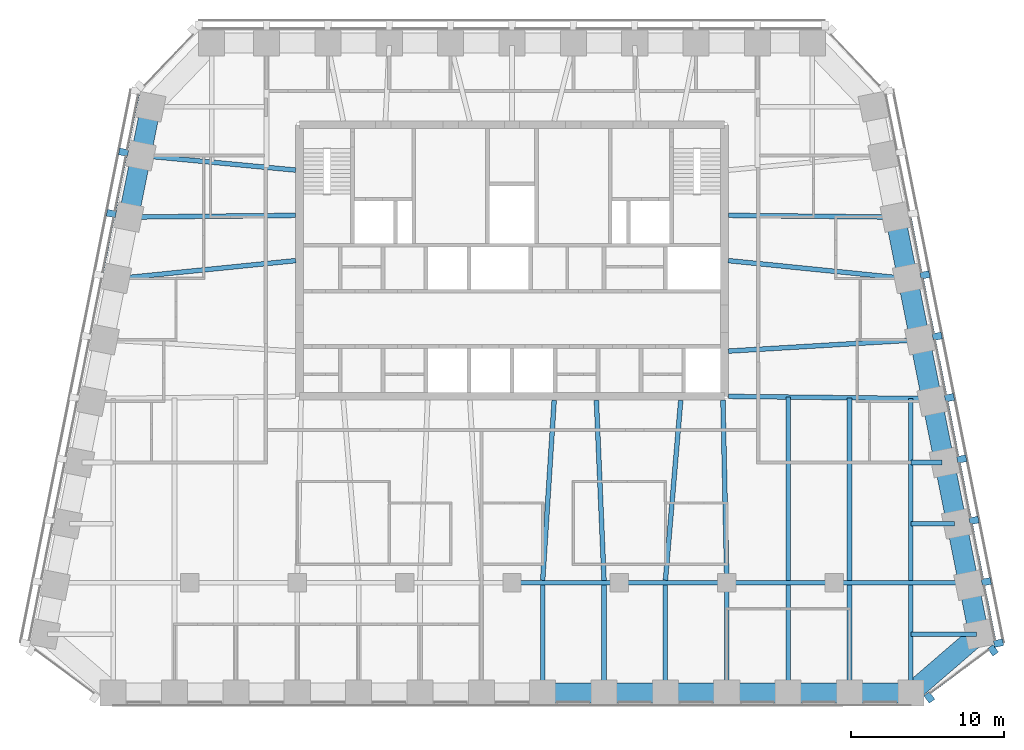
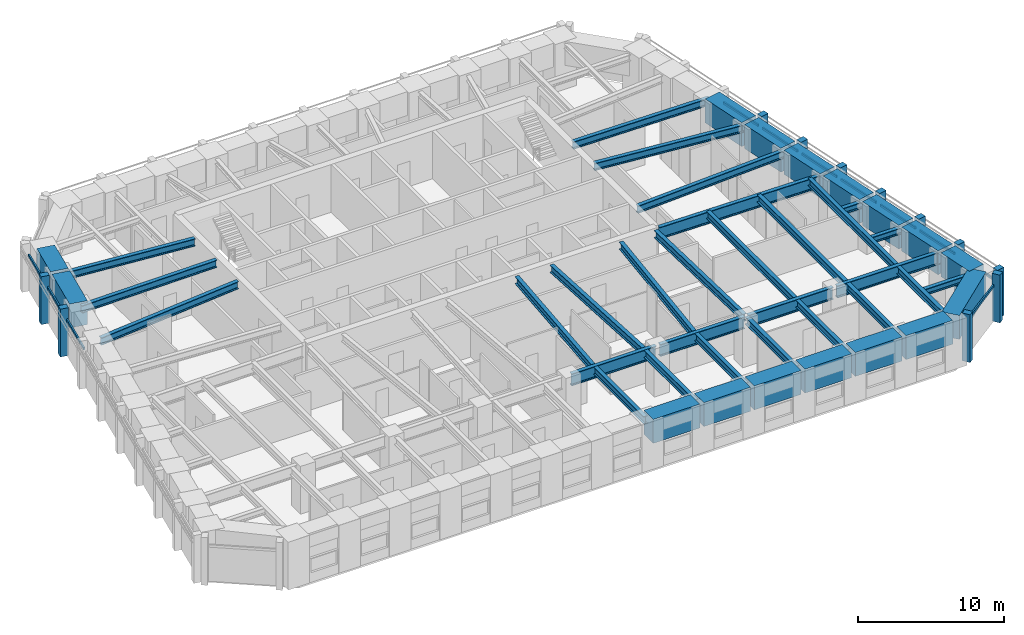
# One storey, part 2 of 11: 44 beams, 22 members, 3 elements without a shape of their own.
"""IFC4 building model written with IfcOpenShell, lengths in metres."""

from ifc_helpers import new_model, si_unit, direction, frame, origin, origin_2d, place, context, subcontext, project, spatial, rectangle, i_section, extrude, material, material_profile, profile_set, type_object, element, aggregate, save


model = new_model("IFC4")

# Units and contexts
model_context = context("Model", 3, precision=1e-05, world=origin(), true_north=direction((0.0, 1.0)))
body_context = subcontext(model_context, "Body", "Model", "MODEL_VIEW")
ifc_project = project(units=[si_unit("LENGTHUNIT", "METRE"), si_unit("AREAUNIT", "SQUARE_METRE"), si_unit("VOLUMEUNIT", "CUBIC_METRE"), si_unit("PLANEANGLEUNIT", "RADIAN"), si_unit("MASSUNIT", "GRAM", prefix="KILO")], contexts=[model_context])

# Site, building, storey
site_placement = place(None, origin())
site = spatial("IfcSite", under=ifc_project, at=site_placement, CompositionType="ELEMENT")
building_placement = place(site_placement, origin())
building = spatial("IfcBuilding", under=site, at=building_placement, Name="Isbrekke Arena Tower", CompositionType="ELEMENT")
storey_placement = place(building_placement, frame((0.0, 0.0, 264.0)))
storey = spatial("IfcBuildingStorey", under=building, at=storey_placement, Name="L61", CompositionType="ELEMENT", Elevation=264.0)

# Beams
ifc_material_1 = material(Name="Steel S355", Category="steel")
ifc_material_profile_1 = material_profile(ifc_material_1, i_section(OverallWidth=0.304931640625, OverallDepth=0.6201171875, WebThickness=0.02099609375, FlangeThickness=0.0400390625, FilletRadius=0.027099609375, at=origin_2d()), Name="HEM 600")
ifc_profile_set_1 = profile_set([ifc_material_profile_1], Name="Steel S355")
beam_type_1 = type_object("IfcBeamType", Name="B4 HEM 600", PredefinedType="BEAM", material=ifc_profile_set_1)
for number, where, z_axis, x_axis, name in (
    (1, (2.0, -13.02490234375, 3.5400390625), (0.0, 1.0, 0.0), (-1.0, 0.0, 0.0), "B4 beam S-S08 L61"),
    (2, (6.0, -13.02490234375, 3.5400390625), (0.0, 1.0, 0.0), (-1.0, 0.0, 0.0), "B4 beam S-S09 L61"),
    (3, (10.0, -13.02490234375, 3.5400390625), (0.0, 1.0, 0.0), (-1.0, 0.0, 0.0), "B4 beam S-S10 L61"),
):
    element("IfcBeam", number, at=place(storey_placement, frame(where, z_axis=z_axis, x_axis=x_axis)), inside=storey, type_object=beam_type_1, Name=name, PredefinedType="BEAM", context=body_context, shape_type="SweptSolid", body=[
        extrude(i_section(OverallWidth=0.304931640625, OverallDepth=0.6201171875, WebThickness=0.02099609375, FlangeThickness=0.0400390625, FilletRadius=0.027099609375, at=origin_2d()), origin(), (0.0, 0.0, 1.0), 6.8740234375),
    ])
beam_1_placement = place(storey_placement, frame((14.0, -13.02490234375, 3.5400390625), z_axis=(0.0, 1.0, 0.0), x_axis=(-1.0, 0.0, 0.0)))
element("IfcBeam", 4, at=beam_1_placement, inside=storey, type_object=beam_type_1, Name="B4 beam S-S11 L61", PredefinedType="BEAM", context=body_context, shape_type="SweptSolid", body=[
    extrude(i_section(OverallWidth=0.304931640625, OverallDepth=0.6201171875, WebThickness=0.02099609375, FlangeThickness=0.0400390625, FilletRadius=0.027099609375, at=origin_2d()), origin(), (0.0, 0.0, 1.0), 6.875),
])
for number, where, z_axis, x_axis, name in (
    (5, (18.0, -13.02490234375, 3.5400390625), (0.0, 1.0, 0.0), (-1.0, 0.0, 0.0), "B4 beam S-S12 L61"),
    (6, (22.0, -13.02490234375, 3.5400390625), (0.0, 1.0, 0.0), (-1.0, 0.0, 0.0), "B4 beam S-S13 L61"),
    (7, (26.0, -13.02490234375, 3.5400390625), (0.0, 1.0, 0.0), (-1.0, 0.0, 0.0), "B4 beam S-S14 L61"),
):
    element("IfcBeam", number, at=place(storey_placement, frame(where, z_axis=z_axis, x_axis=x_axis)), inside=storey, type_object=beam_type_1, Name=name, PredefinedType="BEAM", context=body_context, shape_type="SweptSolid", body=[
        extrude(i_section(OverallWidth=0.304931640625, OverallDepth=0.6201171875, WebThickness=0.02099609375, FlangeThickness=0.0400390625, FilletRadius=0.027099609375, at=origin_2d()), origin(), (0.0, 0.0, 1.0), 6.8740234375),
    ])
beam_2_placement = place(storey_placement, frame((2.000732421875, -5.83935546875, 3.5400390625), z_axis=(0.063696196046, 0.997969335506, 0.0), x_axis=(-0.997969335506, 0.063696196046, 0.0)))
element("IfcBeam", 8, at=beam_2_placement, inside=storey, type_object=beam_type_1, Name="B4 beam C-M08 L61", PredefinedType="BEAM", context=body_context, shape_type="SweptSolid", body=[
    extrude(i_section(OverallWidth=0.304931640625, OverallDepth=0.6201171875, WebThickness=0.02099609375, FlangeThickness=0.0400390625, FilletRadius=0.027099609375, at=origin_2d()), origin(), (0.0, 0.0, 1.0), 11.76318359375),
])
beam_3_placement = place(storey_placement, frame((5.999755859375, -5.842529296875, 3.5400390625), z_axis=(-0.042521334166, 0.999095559064, 0.0), x_axis=(-0.999095559064, -0.042521334166, 0.0)))
element("IfcBeam", 9, at=beam_3_placement, inside=storey, type_object=beam_type_1, Name="B4 beam C-M09 L61", PredefinedType="BEAM", context=body_context, shape_type="SweptSolid", body=[
    extrude(i_section(OverallWidth=0.304931640625, OverallDepth=0.6201171875, WebThickness=0.02099609375, FlangeThickness=0.0400390625, FilletRadius=0.027099609375, at=origin_2d()), origin(), (0.0, 0.0, 1.0), 11.753173828125),
])
beam_4_placement = place(storey_placement, frame((10.0009765625, -5.836181640625, 3.5400390625), z_axis=(0.084817344046, 0.996396516528, 0.0), x_axis=(-0.996396516528, 0.084817344046, 0.0)))
element("IfcBeam", 10, at=beam_4_placement, inside=storey, type_object=beam_type_1, Name="B4 beam C-M10 L61", PredefinedType="BEAM", context=body_context, shape_type="SweptSolid", body=[
    extrude(i_section(OverallWidth=0.304931640625, OverallDepth=0.6201171875, WebThickness=0.02099609375, FlangeThickness=0.0400390625, FilletRadius=0.027099609375, at=origin_2d()), origin(), (0.0, 0.0, 1.0), 11.778564453125),
])
beam_5_placement = place(storey_placement, frame((14.0, -5.8466796875, 3.5400390625), z_axis=(-0.021277968258, 0.999773598405, 0.0), x_axis=(-0.999773598405, -0.021277968258, 0.0)))
element("IfcBeam", 11, at=beam_5_placement, inside=storey, type_object=beam_type_1, Name="B4 beam C-M11 L61", PredefinedType="BEAM", context=body_context, shape_type="SweptSolid", body=[
    extrude(i_section(OverallWidth=0.304931640625, OverallDepth=0.6201171875, WebThickness=0.02099609375, FlangeThickness=0.0400390625, FilletRadius=0.027099609375, at=origin_2d()), origin(), (0.0, 0.0, 1.0), 11.749267578125),
])
beam_6_placement = place(storey_placement, frame((18.0, -5.84912109375, 3.5400390625), z_axis=(0.0, 1.0, 0.0), x_axis=(-1.0, 0.0, 0.0)))
element("IfcBeam", 12, at=beam_6_placement, inside=storey, type_object=beam_type_1, Name="B4 beam C-M12 L61", PredefinedType="BEAM", context=body_context, shape_type="SweptSolid", body=[
    extrude(i_section(OverallWidth=0.304931640625, OverallDepth=0.6201171875, WebThickness=0.02099609375, FlangeThickness=0.0400390625, FilletRadius=0.027099609375, at=origin_2d()), origin(), (0.0, 0.0, 1.0), 11.955078125),
])
beam_7_placement = place(storey_placement, frame((22.0, -5.84912109375, 3.5400390625), z_axis=(0.0, 1.0, 0.0), x_axis=(-1.0, 0.0, 0.0)))
element("IfcBeam", 13, at=beam_7_placement, inside=storey, type_object=beam_type_1, Name="B4 beam C-M13 L61", PredefinedType="BEAM", context=body_context, shape_type="SweptSolid", body=[
    extrude(i_section(OverallWidth=0.304931640625, OverallDepth=0.6201171875, WebThickness=0.02099609375, FlangeThickness=0.0400390625, FilletRadius=0.027099609375, at=origin_2d()), origin(), (0.0, 0.0, 1.0), 11.909912109375),
])
beam_8_placement = place(storey_placement, frame((26.0, -5.84912109375, 3.5400390625), z_axis=(0.0, 1.0, 0.0), x_axis=(-1.0, 0.0, 0.0)))
element("IfcBeam", 14, at=beam_8_placement, inside=storey, type_object=beam_type_1, Name="B4 beam C-M14 L61", PredefinedType="BEAM", context=body_context, shape_type="SweptSolid", body=[
    extrude(i_section(OverallWidth=0.304931640625, OverallDepth=0.6201171875, WebThickness=0.02099609375, FlangeThickness=0.0400390625, FilletRadius=0.027099609375, at=origin_2d()), origin(), (0.0, 0.0, 1.0), 11.86474609375),
])
beam_9_placement = place(storey_placement, frame((26.431884765625, 9.837646484375, 3.5400390625), z_axis=(-0.998216240514, -0.059702070095, 0.0), x_axis=(0.059702070095, -0.998216240514, 0.0)))
element("IfcBeam", 15, at=beam_9_placement, inside=storey, type_object=beam_type_1, Name="B4 beam E-E06 L61", PredefinedType="BEAM", context=body_context, shape_type="SweptSolid", body=[
    extrude(i_section(OverallWidth=0.304931640625, OverallDepth=0.6201171875, WebThickness=0.02099609375, FlangeThickness=0.0400390625, FilletRadius=0.027099609375, at=origin_2d()), origin(), (0.0, 0.0, 1.0), 12.353759765625),
])
beam_10_placement = place(storey_placement, frame((25.625732421875, 13.83984375, 3.5400390625), z_axis=(-0.994972081505, 0.100152668587, 0.0), x_axis=(-0.100152668587, -0.994972081505, 0.0)))
element("IfcBeam", 16, at=beam_10_placement, inside=storey, type_object=beam_type_1, Name="B4 beam E-E07 L61", PredefinedType="BEAM", context=body_context, shape_type="SweptSolid", body=[
    extrude(i_section(OverallWidth=0.304931640625, OverallDepth=0.6201171875, WebThickness=0.02099609375, FlangeThickness=0.0400390625, FilletRadius=0.027099609375, at=origin_2d()), origin(), (0.0, 0.0, 1.0), 11.583984375),
])
beam_11_placement = place(storey_placement, frame((24.83935546875, 17.838134765625, 3.5400390625), z_axis=(-0.999945800258, 0.010411366203, 0.0), x_axis=(-0.010411366203, -0.999945800258, 0.0)))
element("IfcBeam", 17, at=beam_11_placement, inside=storey, type_object=beam_type_1, Name="B4 beam E-E08 L61", PredefinedType="BEAM", context=body_context, shape_type="SweptSolid", body=[
    extrude(i_section(OverallWidth=0.304931640625, OverallDepth=0.6201171875, WebThickness=0.02099609375, FlangeThickness=0.0400390625, FilletRadius=0.027099609375, at=origin_2d()), origin(), (0.0, 0.0, 1.0), 10.73974609375),
])
beam_12_placement = place(storey_placement, frame((-24.02685546875, 21.8369140625, 3.5400390625), z_axis=(0.995574576627, -0.093974796485, 0.0), x_axis=(0.093974796485, 0.995574576627, 0.0)))
element("IfcBeam", 18, at=beam_12_placement, inside=storey, type_object=beam_type_1, Name="B4 beam E-W02 L61", PredefinedType="BEAM", context=body_context, shape_type="SweptSolid", body=[
    extrude(i_section(OverallWidth=0.304931640625, OverallDepth=0.6201171875, WebThickness=0.02099609375, FlangeThickness=0.0400390625, FilletRadius=0.027099609375, at=origin_2d()), origin(), (0.0, 0.0, 1.0), 9.970947265625),
])
beam_13_placement = place(storey_placement, frame((-24.83935546875, 17.838134765625, 3.5400390625), z_axis=(0.999945800258, 0.010411366203, 0.0), x_axis=(-0.010411366203, 0.999945800258, 0.0)))
element("IfcBeam", 19, at=beam_13_placement, inside=storey, type_object=beam_type_1, Name="B4 beam E-W03 L61", PredefinedType="BEAM", context=body_context, shape_type="SweptSolid", body=[
    extrude(i_section(OverallWidth=0.304931640625, OverallDepth=0.6201171875, WebThickness=0.02099609375, FlangeThickness=0.0400390625, FilletRadius=0.027099609375, at=origin_2d()), origin(), (0.0, 0.0, 1.0), 10.73974609375),
])
beam_14_placement = place(storey_placement, frame((-25.625732421875, 13.83984375, 3.5400390625), z_axis=(0.994972081505, 0.100152668587, 0.0), x_axis=(-0.100152668587, 0.994972081505, 0.0)))
element("IfcBeam", 20, at=beam_14_placement, inside=storey, type_object=beam_type_1, Name="B4 beam E-W04 L61", PredefinedType="BEAM", context=body_context, shape_type="SweptSolid", body=[
    extrude(i_section(OverallWidth=0.304931640625, OverallDepth=0.6201171875, WebThickness=0.02099609375, FlangeThickness=0.0400390625, FilletRadius=0.027099609375, at=origin_2d()), origin(), (0.0, 0.0, 1.0), 11.583984375),
])
ifc_material_2 = material(Name="Steel S355", Category="steel")
ifc_material_profile_2 = material_profile(ifc_material_2, i_section(OverallWidth=0.305908203125, OverallDepth=0.52392578125, WebThickness=0.02099609375, FlangeThickness=0.0400390625, FilletRadius=0.027099609375, at=origin_2d()), Name="HEM 500")
ifc_profile_set_2 = profile_set([ifc_material_profile_2], Name="Steel S355")
beam_type_2 = type_object("IfcBeamType", Name="B5 HEM 500", PredefinedType="BEAM", material=ifc_profile_set_2)
beam_15_placement = place(storey_placement, frame((30.279296875, -9.352783203125, 3.587890625), z_axis=(-1.0, 0.0, 0.0), x_axis=(0.0, -1.0, 0.0)))
element("IfcBeam", 21, at=beam_15_placement, inside=storey, type_object=beam_type_2, Name="B5 beam E-E01 L61", PredefinedType="BEAM", context=body_context, shape_type="SweptSolid", body=[
    extrude(i_section(OverallWidth=0.305908203125, OverallDepth=0.52392578125, WebThickness=0.02099609375, FlangeThickness=0.0400390625, FilletRadius=0.027099609375, at=origin_2d()), origin(), (0.0, 0.0, 1.0), 4.279296875),
])
beam_16_placement = place(storey_placement, frame((28.841064453125, -2.161865234375, 3.587890625), z_axis=(-1.0, 0.0, 0.0), x_axis=(0.0, -1.0, 0.0)))
element("IfcBeam", 22, at=beam_16_placement, inside=storey, type_object=beam_type_2, Name="B5 beam E-E03 L61", PredefinedType="BEAM", context=body_context, shape_type="SweptSolid", body=[
    extrude(i_section(OverallWidth=0.305908203125, OverallDepth=0.52392578125, WebThickness=0.02099609375, FlangeThickness=0.0400390625, FilletRadius=0.027099609375, at=origin_2d()), origin(), (0.0, 0.0, 1.0), 2.841064453125),
])
beam_17_placement = place(storey_placement, frame((28.041015625, 1.838134765625, 3.587890625), z_axis=(-1.0, 0.0, 0.0), x_axis=(0.0, -1.0, 0.0)))
element("IfcBeam", 23, at=beam_17_placement, inside=storey, type_object=beam_type_2, Name="B5 beam E-E04 L61", PredefinedType="BEAM", context=body_context, shape_type="SweptSolid", body=[
    extrude(i_section(OverallWidth=0.305908203125, OverallDepth=0.52392578125, WebThickness=0.02099609375, FlangeThickness=0.0400390625, FilletRadius=0.027099609375, at=origin_2d()), origin(), (0.0, 0.0, 1.0), 2.041015625),
])

# Curtain wall, members
ifc_material_3 = material(Name="Glazed aluminium curtain wall", Category="aluminium")
curtain_wall_type = type_object("IfcCurtainWallType", Name="CWT TOWER CURTAIN WALL TOP ZONE", PredefinedType="USERDEFINED", material=ifc_material_3)
curtain_wall_1_placement = place(storey_placement, origin())
curtain_wall_1 = element("IfcCurtainWall", 24, at=curtain_wall_1_placement, inside=storey, type_object=curtain_wall_type, Name="CWT curtain wall L61-SE", ObjectType="TOWER CURTAIN WALL TOP ZONE", PredefinedType="USERDEFINED")
ifc_material_4 = material(Name="Copper-clad aluminium mullion", Category="aluminium")
ifc_material_profile_3 = material_profile(ifc_material_4, rectangle(XDim=0.449951171875, YDim=0.60009765625, at=origin_2d()), Name="PIER 450X600")
ifc_profile_set_3 = profile_set([ifc_material_profile_3], Name="Copper-clad aluminium mullion")
member_type_1 = type_object("IfcMemberType", Name="CWT-M PIER MULLION 450 x 600", PredefinedType="MULLION", material=ifc_profile_set_3)
member_1_placement = place(storey_placement, frame((27.206787109375, -13.4794921875, 0.0), z_axis=(0.0, 0.0, 1.0), x_axis=(0.803557193345, 0.595227550626, 0.0)))
member_1 = element("IfcMember", 25, at=member_1_placement, type_object=member_type_1, Name="CWT-M mullion 1", PredefinedType="MULLION", context=body_context, shape_type="SweptSolid", body=[
    extrude(rectangle(XDim=0.449951171875, YDim=0.60009765625, at=origin_2d()), origin(), (0.0, 0.0, 1.0), 4.0),
])
member_2_placement = place(storey_placement, frame((31.3564453125, -10.405517578125, 0.0), z_axis=(0.0, 0.0, 1.0), x_axis=(0.803557193345, 0.595227550626, 0.0)))
member_2 = element("IfcMember", 26, at=member_2_placement, type_object=member_type_1, Name="CWT-M mullion 2", PredefinedType="MULLION", context=body_context, shape_type="SweptSolid", body=[
    extrude(rectangle(XDim=0.449951171875, YDim=0.60009765625, at=origin_2d()), origin(), (0.0, 0.0, 1.0), 4.0),
])

curtain_wall_2_placement = place(storey_placement, origin())
curtain_wall_2 = element("IfcCurtainWall", 27, at=curtain_wall_2_placement, inside=storey, type_object=curtain_wall_type, Name="CWT curtain wall L61-E", ObjectType="TOWER CURTAIN WALL TOP ZONE", PredefinedType="USERDEFINED")
member_3_placement = place(storey_placement, frame((31.71875, -9.936279296875, 0.0), z_axis=(0.0, 0.0, 1.0), x_axis=(-0.196116135138, 0.980580675691, 0.0)))
member_3 = element("IfcMember", 28, at=member_3_placement, type_object=member_type_1, Name="CWT-M mullion 1", PredefinedType="MULLION", context=body_context, shape_type="SweptSolid", body=[
    extrude(rectangle(XDim=0.449951171875, YDim=0.60009765625, at=origin_2d()), origin(), (0.0, 0.0, 1.0), 4.0),
])
member_4_placement = place(storey_placement, frame((30.918701171875, -5.936279296875, 0.0), z_axis=(0.0, 0.0, 1.0), x_axis=(-0.196116135138, 0.980580675691, 0.0)))
member_4 = element("IfcMember", 29, at=member_4_placement, type_object=member_type_1, Name="CWT-M mullion 2", PredefinedType="MULLION", context=body_context, shape_type="SweptSolid", body=[
    extrude(rectangle(XDim=0.449951171875, YDim=0.60009765625, at=origin_2d()), origin(), (0.0, 0.0, 1.0), 4.0),
])
member_5_placement = place(storey_placement, frame((30.11865234375, -1.936279296875, 0.0), z_axis=(0.0, 0.0, 1.0), x_axis=(-0.196116135138, 0.980580675691, 0.0)))
member_5 = element("IfcMember", 30, at=member_5_placement, type_object=member_type_1, Name="CWT-M mullion 3", PredefinedType="MULLION", context=body_context, shape_type="SweptSolid", body=[
    extrude(rectangle(XDim=0.449951171875, YDim=0.60009765625, at=origin_2d()), origin(), (0.0, 0.0, 1.0), 4.0),
])
member_6_placement = place(storey_placement, frame((29.318603515625, 2.063720703125, 0.0), z_axis=(0.0, 0.0, 1.0), x_axis=(-0.196116135138, 0.980580675691, 0.0)))
member_6 = element("IfcMember", 31, at=member_6_placement, type_object=member_type_1, Name="CWT-M mullion 4", PredefinedType="MULLION", context=body_context, shape_type="SweptSolid", body=[
    extrude(rectangle(XDim=0.449951171875, YDim=0.60009765625, at=origin_2d()), origin(), (0.0, 0.0, 1.0), 4.0),
])
member_7_placement = place(storey_placement, frame((28.518798828125, 6.063720703125, 0.0), z_axis=(0.0, 0.0, 1.0), x_axis=(-0.196116135138, 0.980580675691, 0.0)))
member_7 = element("IfcMember", 32, at=member_7_placement, type_object=member_type_1, Name="CWT-M mullion 5", PredefinedType="MULLION", context=body_context, shape_type="SweptSolid", body=[
    extrude(rectangle(XDim=0.449951171875, YDim=0.60009765625, at=origin_2d()), origin(), (0.0, 0.0, 1.0), 4.0),
])
member_8_placement = place(storey_placement, frame((27.71875, 10.063720703125, 0.0), z_axis=(0.0, 0.0, 1.0), x_axis=(-0.196116135138, 0.980580675691, 0.0)))
member_8 = element("IfcMember", 33, at=member_8_placement, type_object=member_type_1, Name="CWT-M mullion 6", PredefinedType="MULLION", context=body_context, shape_type="SweptSolid", body=[
    extrude(rectangle(XDim=0.449951171875, YDim=0.60009765625, at=origin_2d()), origin(), (0.0, 0.0, 1.0), 4.0),
])
member_9_placement = place(storey_placement, frame((26.918701171875, 14.063720703125, 0.0), z_axis=(0.0, 0.0, 1.0), x_axis=(-0.196116135138, 0.980580675691, 0.0)))
member_9 = element("IfcMember", 34, at=member_9_placement, type_object=member_type_1, Name="CWT-M mullion 7", PredefinedType="MULLION", context=body_context, shape_type="SweptSolid", body=[
    extrude(rectangle(XDim=0.449951171875, YDim=0.60009765625, at=origin_2d()), origin(), (0.0, 0.0, 1.0), 4.0),
])

curtain_wall_3_placement = place(storey_placement, origin())
curtain_wall_3 = element("IfcCurtainWall", 35, at=curtain_wall_3_placement, inside=storey, type_object=curtain_wall_type, Name="CWT curtain wall L61-W", ObjectType="TOWER CURTAIN WALL TOP ZONE", PredefinedType="USERDEFINED")
member_10_placement = place(storey_placement, frame((-25.318603515625, 22.063720703125, 0.0), z_axis=(0.0, 0.0, 1.0), x_axis=(-0.196116135138, -0.980580675691, 0.0)))
member_10 = element("IfcMember", 36, at=member_10_placement, type_object=member_type_1, Name="CWT-M mullion 2", PredefinedType="MULLION", context=body_context, shape_type="SweptSolid", body=[
    extrude(rectangle(XDim=0.449951171875, YDim=0.60009765625, at=origin_2d()), origin(), (0.0, 0.0, 1.0), 4.0),
])
member_11_placement = place(storey_placement, frame((-26.11865234375, 18.063720703125, 0.0), z_axis=(0.0, 0.0, 1.0), x_axis=(-0.196116135138, -0.980580675691, 0.0)))
member_11 = element("IfcMember", 37, at=member_11_placement, type_object=member_type_1, Name="CWT-M mullion 3", PredefinedType="MULLION", context=body_context, shape_type="SweptSolid", body=[
    extrude(rectangle(XDim=0.449951171875, YDim=0.60009765625, at=origin_2d()), origin(), (0.0, 0.0, 1.0), 4.0),
])

# Member
ifc_material_5 = material(Name="Aluminium transom", Category="aluminium")
ifc_material_profile_4 = material_profile(ifc_material_5, rectangle(XDim=0.1201171875, YDim=0.199951171875, at=origin_2d()), Name="TRANSOM 120X200")
ifc_profile_set_4 = profile_set([ifc_material_profile_4], Name="Aluminium transom")
member_type_2 = type_object("IfcMemberType", Name="CWT-T TRANSOM 120 x 200", PredefinedType="USERDEFINED", material=ifc_profile_set_4)
member_12_placement = place(storey_placement, frame((27.2685546875, -13.184814453125, 3.0), z_axis=(0.803565450225, 0.595216403676, 0.0), x_axis=(-0.595216403676, 0.803565450225, 0.0)))
member_12 = element("IfcMember", 38, at=member_12_placement, type_object=member_type_2, Name="CWT-T transom 1", ObjectType="TRANSOM", PredefinedType="USERDEFINED", context=body_context, shape_type="SweptSolid", body=[
    extrude(rectangle(XDim=0.1201171875, YDim=0.199951171875, at=origin_2d()), origin(), (0.0, 0.0, 1.0), 4.714111328125),
])

aggregate(curtain_wall_1, [member_1, member_2, member_12])

member_13_placement = place(storey_placement, frame((31.478515625, -9.7548828125, 3.0), z_axis=(-0.196154943734, 0.980572913173, 0.0), x_axis=(-0.980572913173, -0.196154943734, 0.0)))
member_13 = element("IfcMember", 39, at=member_13_placement, type_object=member_type_2, Name="CWT-T transom 1", ObjectType="TRANSOM", PredefinedType="USERDEFINED", context=body_context, shape_type="SweptSolid", body=[
    extrude(rectangle(XDim=0.1201171875, YDim=0.199951171875, at=origin_2d()), origin(), (0.0, 0.0, 1.0), 3.62939453125),
])

member_14_placement = place(storey_placement, frame((30.678466796875, -5.7548828125, 3.0), z_axis=(-0.196090262229, 0.980585849918, 0.0), x_axis=(-0.980585849918, -0.196090262229, 0.0)))
member_14 = element("IfcMember", 40, at=member_14_placement, type_object=member_type_2, Name="CWT-T transom 2", ObjectType="TRANSOM", PredefinedType="USERDEFINED", context=body_context, shape_type="SweptSolid", body=[
    extrude(rectangle(XDim=0.1201171875, YDim=0.199951171875, at=origin_2d()), origin(), (0.0, 0.0, 1.0), 3.62939453125),
])

member_15_placement = place(storey_placement, frame((29.87841796875, -1.7548828125, 3.0), z_axis=(-0.196090262229, 0.980585849918, 0.0), x_axis=(-0.980585849918, -0.196090262229, 0.0)))
member_15 = element("IfcMember", 41, at=member_15_placement, type_object=member_type_2, Name="CWT-T transom 3", ObjectType="TRANSOM", PredefinedType="USERDEFINED", context=body_context, shape_type="SweptSolid", body=[
    extrude(rectangle(XDim=0.1201171875, YDim=0.199951171875, at=origin_2d()), origin(), (0.0, 0.0, 1.0), 3.62939453125),
])

member_16_placement = place(storey_placement, frame((29.078369140625, 2.2451171875, 3.0), z_axis=(-0.196090262229, 0.980585849918, 0.0), x_axis=(-0.980585849918, -0.196090262229, 0.0)))
member_16 = element("IfcMember", 42, at=member_16_placement, type_object=member_type_2, Name="CWT-T transom 4", ObjectType="TRANSOM", PredefinedType="USERDEFINED", context=body_context, shape_type="SweptSolid", body=[
    extrude(rectangle(XDim=0.1201171875, YDim=0.199951171875, at=origin_2d()), origin(), (0.0, 0.0, 1.0), 3.62939453125),
])

member_17_placement = place(storey_placement, frame((28.278564453125, 6.2451171875, 3.0), z_axis=(-0.196154943734, 0.980572913173, 0.0), x_axis=(-0.980572913173, -0.196154943734, 0.0)))
member_17 = element("IfcMember", 43, at=member_17_placement, type_object=member_type_2, Name="CWT-T transom 5", ObjectType="TRANSOM", PredefinedType="USERDEFINED", context=body_context, shape_type="SweptSolid", body=[
    extrude(rectangle(XDim=0.1201171875, YDim=0.199951171875, at=origin_2d()), origin(), (0.0, 0.0, 1.0), 3.62939453125),
])

member_18_placement = place(storey_placement, frame((27.478515625, 10.2451171875, 3.0), z_axis=(-0.196154943734, 0.980572913173, 0.0), x_axis=(-0.980572913173, -0.196154943734, 0.0)))
member_18 = element("IfcMember", 44, at=member_18_placement, type_object=member_type_2, Name="CWT-T transom 6", ObjectType="TRANSOM", PredefinedType="USERDEFINED", context=body_context, shape_type="SweptSolid", body=[
    extrude(rectangle(XDim=0.1201171875, YDim=0.199951171875, at=origin_2d()), origin(), (0.0, 0.0, 1.0), 3.62939453125),
])

member_19_placement = place(storey_placement, frame((26.678466796875, 14.2451171875, 3.0), z_axis=(-0.196090262229, 0.980585849918, 0.0), x_axis=(-0.980585849918, -0.196090262229, 0.0)))
member_19 = element("IfcMember", 45, at=member_19_placement, type_object=member_type_2, Name="CWT-T transom 7", ObjectType="TRANSOM", PredefinedType="USERDEFINED", context=body_context, shape_type="SweptSolid", body=[
    extrude(rectangle(XDim=0.1201171875, YDim=0.199951171875, at=origin_2d()), origin(), (0.0, 0.0, 1.0), 3.62939453125),
])

aggregate(curtain_wall_2, [member_3, member_4, member_5, member_6, member_7, member_8, member_9, member_13, member_14, member_15, member_16, member_17, member_18, member_19])

member_20_placement = place(storey_placement, frame((-24.36669921875, 25.803955078125, 3.0), z_axis=(-0.196090262229, -0.980585849918, 0.0), x_axis=(0.980585849918, -0.196090262229, 0.0)))
member_20 = element("IfcMember", 46, at=member_20_placement, type_object=member_type_2, Name="CWT-T transom 1", ObjectType="TRANSOM", PredefinedType="USERDEFINED", context=body_context, shape_type="SweptSolid", body=[
    extrude(rectangle(XDim=0.1201171875, YDim=0.199951171875, at=origin_2d()), origin(), (0.0, 0.0, 1.0), 3.62939453125),
])

member_21_placement = place(storey_placement, frame((-25.166748046875, 21.803955078125, 3.0), z_axis=(-0.196090262229, -0.980585849918, 0.0), x_axis=(0.980585849918, -0.196090262229, 0.0)))
member_21 = element("IfcMember", 47, at=member_21_placement, type_object=member_type_2, Name="CWT-T transom 2", ObjectType="TRANSOM", PredefinedType="USERDEFINED", context=body_context, shape_type="SweptSolid", body=[
    extrude(rectangle(XDim=0.1201171875, YDim=0.199951171875, at=origin_2d()), origin(), (0.0, 0.0, 1.0), 3.62939453125),
])

member_22_placement = place(storey_placement, frame((-25.966796875, 17.803955078125, 3.0), z_axis=(-0.196090262229, -0.980585849918, 0.0), x_axis=(0.980585849918, -0.196090262229, 0.0)))
member_22 = element("IfcMember", 48, at=member_22_placement, type_object=member_type_2, Name="CWT-T transom 3", ObjectType="TRANSOM", PredefinedType="USERDEFINED", context=body_context, shape_type="SweptSolid", body=[
    extrude(rectangle(XDim=0.1201171875, YDim=0.199951171875, at=origin_2d()), origin(), (0.0, 0.0, 1.0), 3.62939453125),
])

aggregate(curtain_wall_3, [member_10, member_11, member_20, member_21, member_22])

# Beams
ifc_material_6 = material(Name="Steel S355", Category="steel")
ifc_material_profile_5 = material_profile(ifc_material_6, i_section(OverallWidth=0.302001953125, OverallDepth=1.008056640625, WebThickness=0.02099609375, FlangeThickness=0.0400390625, FilletRadius=0.030029296875, at=origin_2d()), Name="HEM 1000")
ifc_profile_set_5 = profile_set([ifc_material_profile_5], Name="Steel S355")
beam_type_3 = type_object("IfcBeamType", Name="G1 HEM 1000", PredefinedType="BEAM", material=ifc_profile_set_5)
for number, where, z_axis, x_axis, name in (
    (49, (0.14990234375, -6.0, 3.345947265625), (1.0, 0.0, 0.0), (0.0, 1.0, 0.0), "G1 beam G1-05 L61"),
    (50, (7.14990234375, -6.0, 3.345947265625), (1.0, 0.0, 0.0), (0.0, 1.0, 0.0), "G1 beam G1-06 L61"),
    (51, (14.14990234375, -6.0, 3.345947265625), (1.0, 0.0, 0.0), (0.0, 1.0, 0.0), "G1 beam G1-07 L61"),
):
    element("IfcBeam", number, at=place(storey_placement, frame(where, z_axis=z_axis, x_axis=x_axis)), inside=storey, type_object=beam_type_3, Name=name, PredefinedType="BEAM", context=body_context, shape_type="SweptSolid", body=[
        extrude(i_section(OverallWidth=0.302001953125, OverallDepth=1.008056640625, WebThickness=0.02099609375, FlangeThickness=0.0400390625, FilletRadius=0.030029296875, at=origin_2d()), origin(), (0.0, 0.0, 1.0), 6.7001953125),
    ])
beam_18_placement = place(storey_placement, frame((21.14990234375, -6.0, 3.345947265625), z_axis=(1.0, 0.0, 0.0), x_axis=(0.0, 1.0, 0.0)))
element("IfcBeam", 52, at=beam_18_placement, inside=storey, type_object=beam_type_3, Name="G1 beam G1-08 L61", PredefinedType="BEAM", context=body_context, shape_type="SweptSolid", body=[
    extrude(i_section(OverallWidth=0.302001953125, OverallDepth=1.008056640625, WebThickness=0.02099609375, FlangeThickness=0.0400390625, FilletRadius=0.030029296875, at=origin_2d()), origin(), (0.0, 0.0, 1.0), 8.64111328125),
])
ifc_material_7 = material(Name="Steel S355", Category="steel")
ifc_material_profile_6 = material_profile(ifc_material_7, i_section(OverallWidth=0.302001953125, OverallDepth=1.008056640625, WebThickness=0.02099609375, FlangeThickness=0.0400390625, FilletRadius=0.030029296875, at=origin_2d()), Name="HEM 1000")
ifc_profile_set_6 = profile_set([ifc_material_profile_6], Name="Steel S355")
beam_type_4 = type_object("IfcBeamType", Name="G2 HEM 1000", PredefinedType="BEAM", material=ifc_profile_set_6)
beam_19_placement = place(storey_placement, frame((14.10009765625, 6.14990234375, 3.345947265625), z_axis=(0.999936387749, -0.011279204565, 0.0), x_axis=(0.011279204565, 0.999936387749, 0.0)))
element("IfcBeam", 53, at=beam_19_placement, inside=storey, type_object=beam_type_4, Name="G2 beam G2-E L61", PredefinedType="BEAM", context=body_context, shape_type="SweptSolid", body=[
    extrude(i_section(OverallWidth=0.302001953125, OverallDepth=1.008056640625, WebThickness=0.02099609375, FlangeThickness=0.0400390625, FilletRadius=0.030029296875, at=origin_2d()), origin(), (0.0, 0.0, 1.0), 13.2900390625),
])
ifc_material_8 = material(Name="Concrete B55 (C55/67)", Category="concrete")
ifc_material_profile_7 = material_profile(ifc_material_8, rectangle(XDim=1.300048828125, YDim=2.0, at=origin_2d()), Name="RC 1300x2000")
ifc_profile_set_7 = profile_set([ifc_material_profile_7], Name="Concrete B55 (C55/67)")
beam_type_5 = type_object("IfcBeamType", Name="SB4 RC 1300 x 2000", PredefinedType="SPANDREL", material=ifc_profile_set_7)
for number, where, z_axis, x_axis, name in (
    (54, (2.14990234375, -13.175048828125, 3.0), (1.0, 0.0, 0.0), (0.0, 1.0, 0.0), "SB4 spandrel S08-S09 L61"),
    (55, (6.14990234375, -13.175048828125, 3.0), (1.0, 0.0, 0.0), (0.0, 1.0, 0.0), "SB4 spandrel S09-S10 L61"),
    (56, (10.14990234375, -13.175048828125, 3.0), (1.0, 0.0, 0.0), (0.0, 1.0, 0.0), "SB4 spandrel S10-S11 L61"),
    (57, (14.14990234375, -13.175048828125, 3.0), (1.0, 0.0, 0.0), (0.0, 1.0, 0.0), "SB4 spandrel S11-S12 L61"),
    (58, (18.14990234375, -13.175048828125, 3.0), (1.0, 0.0, 0.0), (0.0, 1.0, 0.0), "SB4 spandrel S12-S13 L61"),
    (59, (22.14990234375, -13.175048828125, 3.0), (1.0, 0.0, 0.0), (0.0, 1.0, 0.0), "SB4 spandrel S13-S14 L61"),
):
    element("IfcBeam", number, at=place(storey_placement, frame(where, z_axis=z_axis, x_axis=x_axis)), inside=storey, type_object=beam_type_5, Name=name, PredefinedType="SPANDREL", context=body_context, shape_type="SweptSolid", body=[
        extrude(rectangle(XDim=1.300048828125, YDim=2.0, at=origin_2d()), origin(), (0.0, 0.0, 1.0), 3.7001953125),
    ])
beam_20_placement = place(storey_placement, frame((26.113525390625, -13.076904296875, 3.0), z_axis=(0.757103829862, 0.653294566646, 0.0), x_axis=(-0.653294566646, 0.757103829862, 0.0)))
element("IfcBeam", 60, at=beam_20_placement, inside=storey, type_object=beam_type_5, Name="SB4 spandrel S14-E01 L61", PredefinedType="SPANDREL", context=body_context, shape_type="SweptSolid", body=[
    extrude(rectangle(XDim=1.300048828125, YDim=2.0, at=origin_2d()), origin(), (0.0, 0.0, 1.0), 5.55029296875),
])
beam_21_placement = place(storey_placement, frame((30.39990234375, -9.205810546875, 3.0), z_axis=(-0.196100243168, 0.980583853951, 0.0), x_axis=(-0.980583853951, -0.196100243168, 0.0)))
element("IfcBeam", 61, at=beam_21_placement, inside=storey, type_object=beam_type_5, Name="SB4 spandrel E01-E02 L61", PredefinedType="SPANDREL", context=body_context, shape_type="SweptSolid", body=[
    extrude(rectangle(XDim=1.300048828125, YDim=2.0, at=origin_2d()), origin(), (0.0, 0.0, 1.0), 2.954345703125),
])
for number, where, z_axis, x_axis, name in (
    (62, (29.76171875, -6.0146484375, 3.0), (-0.196128558387, 0.980578190959, 0.0), (-0.980578190959, -0.196128558387, 0.0), "SB4 spandrel E02-E03 L61"),
    (63, (28.961669921875, -2.0146484375, 3.0), (-0.196128558387, 0.980578190959, 0.0), (-0.980578190959, -0.196128558387, 0.0), "SB4 spandrel E03-E04 L61"),
    (64, (28.16162109375, 1.9853515625, 3.0), (-0.196128558387, 0.980578190959, 0.0), (-0.980578190959, -0.196128558387, 0.0), "SB4 spandrel E04-E05 L61"),
    (65, (27.361572265625, 5.9853515625, 3.0), (-0.196128558387, 0.980578190959, 0.0), (-0.980578190959, -0.196128558387, 0.0), "SB4 spandrel E05-E06 L61"),
):
    element("IfcBeam", number, at=place(storey_placement, frame(where, z_axis=z_axis, x_axis=x_axis)), inside=storey, type_object=beam_type_5, Name=name, PredefinedType="SPANDREL", context=body_context, shape_type="SweptSolid", body=[
        extrude(rectangle(XDim=1.300048828125, YDim=2.0, at=origin_2d()), origin(), (0.0, 0.0, 1.0), 3.779296875),
    ])
beam_22_placement = place(storey_placement, frame((26.5615234375, 9.9853515625, 3.0), z_axis=(-0.1960664412, 0.980590613169, 0.0), x_axis=(-0.980590613169, -0.1960664412, 0.0)))
element("IfcBeam", 66, at=beam_22_placement, inside=storey, type_object=beam_type_5, Name="SB4 spandrel E06-E07 L61", PredefinedType="SPANDREL", context=body_context, shape_type="SweptSolid", body=[
    extrude(rectangle(XDim=1.300048828125, YDim=2.0, at=origin_2d()), origin(), (0.0, 0.0, 1.0), 3.779052734375),
])
beam_23_placement = place(storey_placement, frame((25.76171875, 13.9853515625, 3.0), z_axis=(-0.196128558387, 0.980578190959, 0.0), x_axis=(-0.980578190959, -0.196128558387, 0.0)))
element("IfcBeam", 67, at=beam_23_placement, inside=storey, type_object=beam_type_5, Name="SB4 spandrel E07-E08 L61", PredefinedType="SPANDREL", context=body_context, shape_type="SweptSolid", body=[
    extrude(rectangle(XDim=1.300048828125, YDim=2.0, at=origin_2d()), origin(), (0.0, 0.0, 1.0), 3.779296875),
])
beam_24_placement = place(storey_placement, frame((-23.582275390625, 24.882080078125, 3.0), z_axis=(-0.196116135138, -0.980580675691, 0.0), x_axis=(0.980580675691, -0.196116135138, 0.0)))
element("IfcBeam", 68, at=beam_24_placement, inside=storey, type_object=beam_type_5, Name="SB4 spandrel W01-W02 L61", PredefinedType="SPANDREL", context=body_context, shape_type="SweptSolid", body=[
    extrude(rectangle(XDim=1.300048828125, YDim=2.0, at=origin_2d()), origin(), (0.0, 0.0, 1.0), 2.9541015625),
])
beam_25_placement = place(storey_placement, frame((-24.220458984375, 21.691162109375, 3.0), z_axis=(-0.196128558387, -0.980578190959, 0.0), x_axis=(0.980578190959, -0.196128558387, 0.0)))
element("IfcBeam", 69, at=beam_25_placement, inside=storey, type_object=beam_type_5, Name="SB4 spandrel W02-W03 L61", PredefinedType="SPANDREL", context=body_context, shape_type="SweptSolid", body=[
    extrude(rectangle(XDim=1.300048828125, YDim=2.0, at=origin_2d()), origin(), (0.0, 0.0, 1.0), 3.779296875),
])

save(model, "model.ifc")
